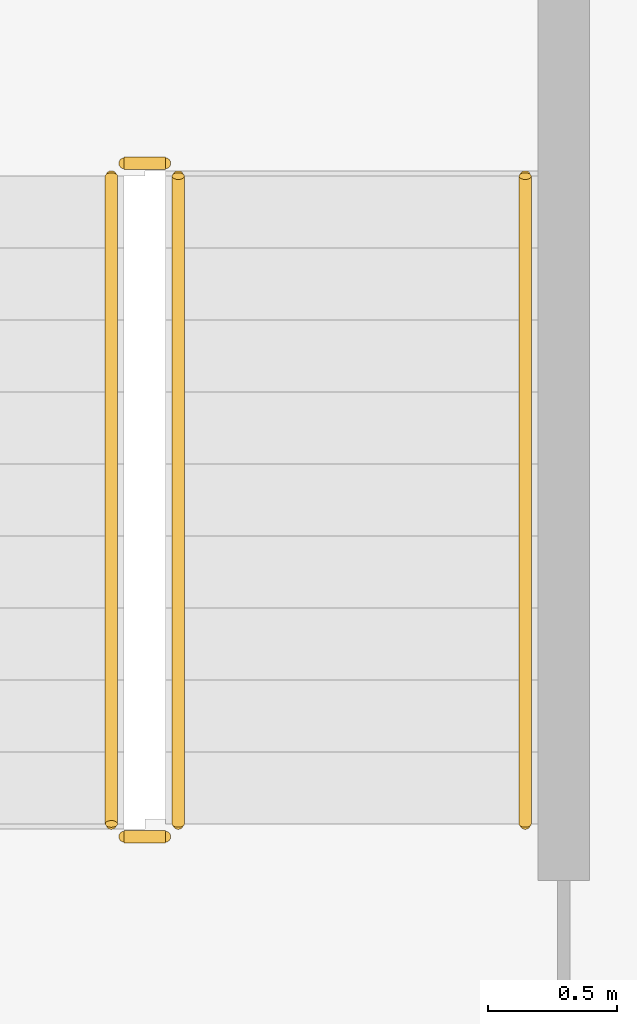
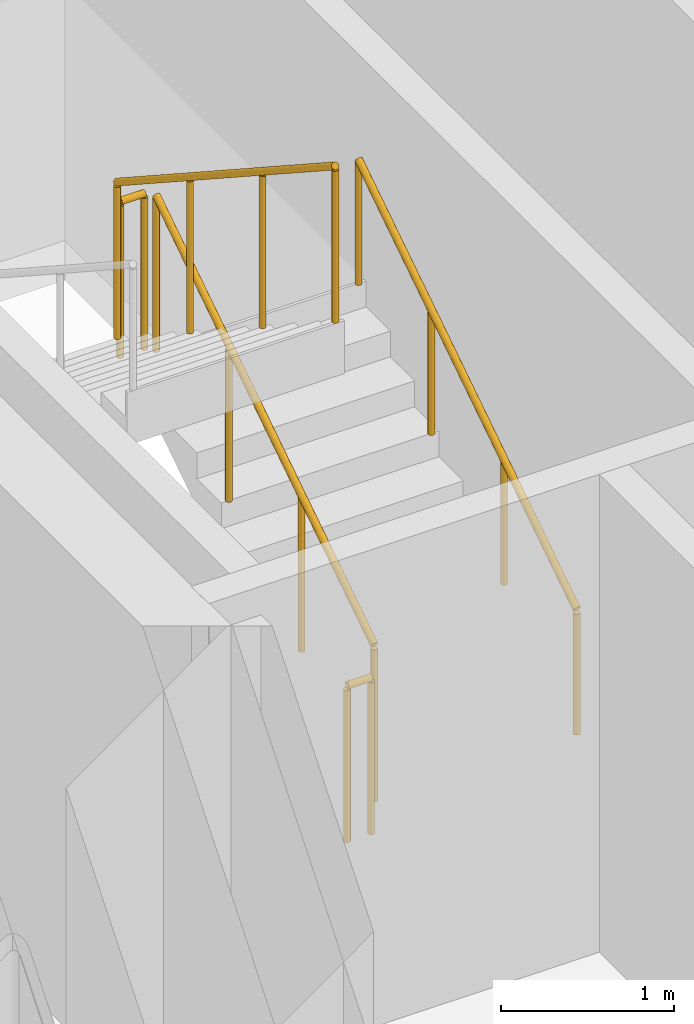
# One storey, part 10 of 12: 5 railings.
"""IFC4 building model written with IfcOpenShell, lengths in metres."""

from ifc_helpers import new_model, si_unit, direction, frame, origin, origin_2d, place, context, subcontext, project, spatial, circle, extrude, material, type_object, element, save


model = new_model("IFC4")

# Units and contexts
model_context = context("Model", 3, precision=1e-05, world=origin(), true_north=direction((0.0, 1.0)))
body_context = subcontext(model_context, "Body", "Model", "MODEL_VIEW")
ifc_project = project(units=[si_unit("LENGTHUNIT", "METRE"), si_unit("AREAUNIT", "SQUARE_METRE"), si_unit("VOLUMEUNIT", "CUBIC_METRE"), si_unit("PLANEANGLEUNIT", "RADIAN"), si_unit("MASSUNIT", "GRAM", prefix="KILO")], contexts=[model_context])

# Site, building, storey
site_placement = place(None, origin())
site = spatial("IfcSite", under=ifc_project, at=site_placement, CompositionType="ELEMENT")
building_placement = place(site_placement, origin())
building = spatial("IfcBuilding", under=site, at=building_placement, Name="Nuvemarco Arch Tower", CompositionType="ELEMENT")
storey_placement = place(building_placement, frame((0.0, 0.0, 31.25)))
storey = spatial("IfcBuildingStorey", under=building, at=storey_placement, Name="L07", CompositionType="ELEMENT", Elevation=31.25)

# Railings
ifc_material_1 = material(Name="Brushed stainless steel handrail", Category="steel")
railing_type_1 = type_object("IfcRailingType", Name="RL-HANDRAIL-900", PredefinedType="HANDRAIL", material=ifc_material_1)
railing_1_placement = place(storey_placement, frame((-13.590087890625, 2.64990234375, 0.1826171875)))
element("IfcRailing", 1, at=railing_1_placement, inside=storey, type_object=railing_type_1, Name="L07 ST-1 stair handrail 1", PredefinedType="HANDRAIL", context=body_context, shape_type="SweptSolid", body=[
    extrude(circle(Radius=0.02392578125, at=origin_2d()), frame((0.0, 0.0, 0.8759765625), z_axis=(0.0, 0.837786554691, 0.545997883492), x_axis=(-1.0, 0.0, 0.0)), (0.0, 0.0, 1.0), 3.008056640625),
    extrude(circle(Radius=0.02099609375, at=origin_2d()), origin(), (0.0, 0.0, 1.0), 0.851806640625),
    extrude(circle(Radius=0.02099609375, at=origin_2d()), frame((0.0, 0.840087890625, 0.54736328125)), (0.0, 0.0, 1.0), 0.851806640625),
    extrude(circle(Radius=0.02099609375, at=origin_2d()), frame((0.0, 1.679931640625, 1.094970703125)), (0.0, 0.0, 1.0), 0.851806640625),
    extrude(circle(Radius=0.02099609375, at=origin_2d()), frame((0.0, 2.52001953125, 1.642333984375)), (0.0, 0.0, 1.0), 0.851806640625),
])
ifc_material_2 = material(Name="Painted balustrade steel S355", Category="steel")
railing_type_2 = type_object("IfcRailingType", Name="RL-STAIR-GUARD", PredefinedType="GUARDRAIL", material=ifc_material_2)
railing_2_placement = place(storey_placement, frame((-14.93994140625, 2.64990234375, 0.1826171875)))
element("IfcRailing", 2, at=railing_2_placement, inside=storey, type_object=railing_type_2, Name="L07 ST-1 stair guard 1", PredefinedType="GUARDRAIL", context=body_context, shape_type="SweptSolid", body=[
    extrude(circle(Radius=0.02392578125, at=origin_2d()), frame((0.0, 0.0, 1.09619140625), z_axis=(0.0, 0.837786554691, 0.545997883492), x_axis=(-1.0, 0.0, 0.0)), (0.0, 0.0, 1.0), 3.008056640625),
    extrude(circle(Radius=0.02099609375, at=origin_2d()), origin(), (0.0, 0.0, 1.0), 1.072021484375),
    extrude(circle(Radius=0.02099609375, at=origin_2d()), frame((0.0, 0.840087890625, 0.54736328125)), (0.0, 0.0, 1.0), 1.072021484375),
    extrude(circle(Radius=0.02099609375, at=origin_2d()), frame((0.0, 1.679931640625, 1.094970703125)), (0.0, 0.0, 1.0), 1.072021484375),
    extrude(circle(Radius=0.02099609375, at=origin_2d()), frame((0.0, 2.52001953125, 1.642333984375)), (0.0, 0.0, 1.0), 1.072021484375),
])
railing_3_placement = place(storey_placement, frame((-14.989990234375, 5.219970703125, 1.824951171875)))
element("IfcRailing", 3, at=railing_3_placement, inside=storey, type_object=railing_type_2, Name="L07 ST-1 stair guard 2", PredefinedType="GUARDRAIL", context=body_context, shape_type="SweptSolid", body=[
    extrude(circle(Radius=0.02392578125, at=origin_2d()), frame((0.0, 0.0, 1.09619140625), z_axis=(-1.0, 0.0, 0.0), x_axis=(0.0, -1.0, 0.0)), (0.0, 0.0, 1.0), 0.159912109375),
    extrude(circle(Radius=0.02099609375, at=origin_2d()), origin(), (0.0, 0.0, 1.0), 1.072021484375),
    extrude(circle(Radius=0.02099609375, at=origin_2d()), frame((-0.159912109375, 0.0, 0.0)), (0.0, 0.0, 1.0), 1.072021484375),
])
railing_4_placement = place(storey_placement, frame((-15.199951171875, 5.169921875, 2.007568359375)))
element("IfcRailing", 4, at=railing_4_placement, inside=storey, type_object=railing_type_2, Name="L07 ST-1 stair guard 3", PredefinedType="GUARDRAIL", context=body_context, shape_type="SweptSolid", body=[
    extrude(circle(Radius=0.02392578125, at=origin_2d()), frame((0.0, 0.0, 1.09619140625), z_axis=(0.0, -0.837786554691, 0.545997883492), x_axis=(1.0, 0.0, 0.0)), (0.0, 0.0, 1.0), 3.008056640625),
    extrude(circle(Radius=0.02099609375, at=origin_2d()), origin(), (0.0, 0.0, 1.0), 1.072021484375),
    extrude(circle(Radius=0.02099609375, at=origin_2d()), frame((0.0, -0.840087890625, 0.54736328125)), (0.0, 0.0, 1.0), 1.072021484375),
    extrude(circle(Radius=0.02099609375, at=origin_2d()), frame((0.0, -1.679931640625, 1.094970703125)), (0.0, 0.0, 1.0), 1.072021484375),
    extrude(circle(Radius=0.02099609375, at=origin_2d()), frame((0.0, -2.52001953125, 1.642333984375)), (0.0, 0.0, 1.0), 1.072021484375),
])
railing_5_placement = place(storey_placement, frame((-14.989990234375, 2.60009765625, 0.0)))
element("IfcRailing", 5, at=railing_5_placement, inside=storey, type_object=railing_type_2, Name="L07 ST-1 stair guard 4", PredefinedType="GUARDRAIL", context=body_context, shape_type="SweptSolid", body=[
    extrude(circle(Radius=0.02392578125, at=origin_2d()), frame((0.0, 0.0, 1.09619140625), z_axis=(-1.0, 0.0, 0.0), x_axis=(0.0, -1.0, 0.0)), (0.0, 0.0, 1.0), 0.159912109375),
    extrude(circle(Radius=0.02099609375, at=origin_2d()), origin(), (0.0, 0.0, 1.0), 1.072021484375),
    extrude(circle(Radius=0.02099609375, at=origin_2d()), frame((-0.159912109375, 0.0, 0.0)), (0.0, 0.0, 1.0), 1.072021484375),
])

save(model, "model.ifc")
